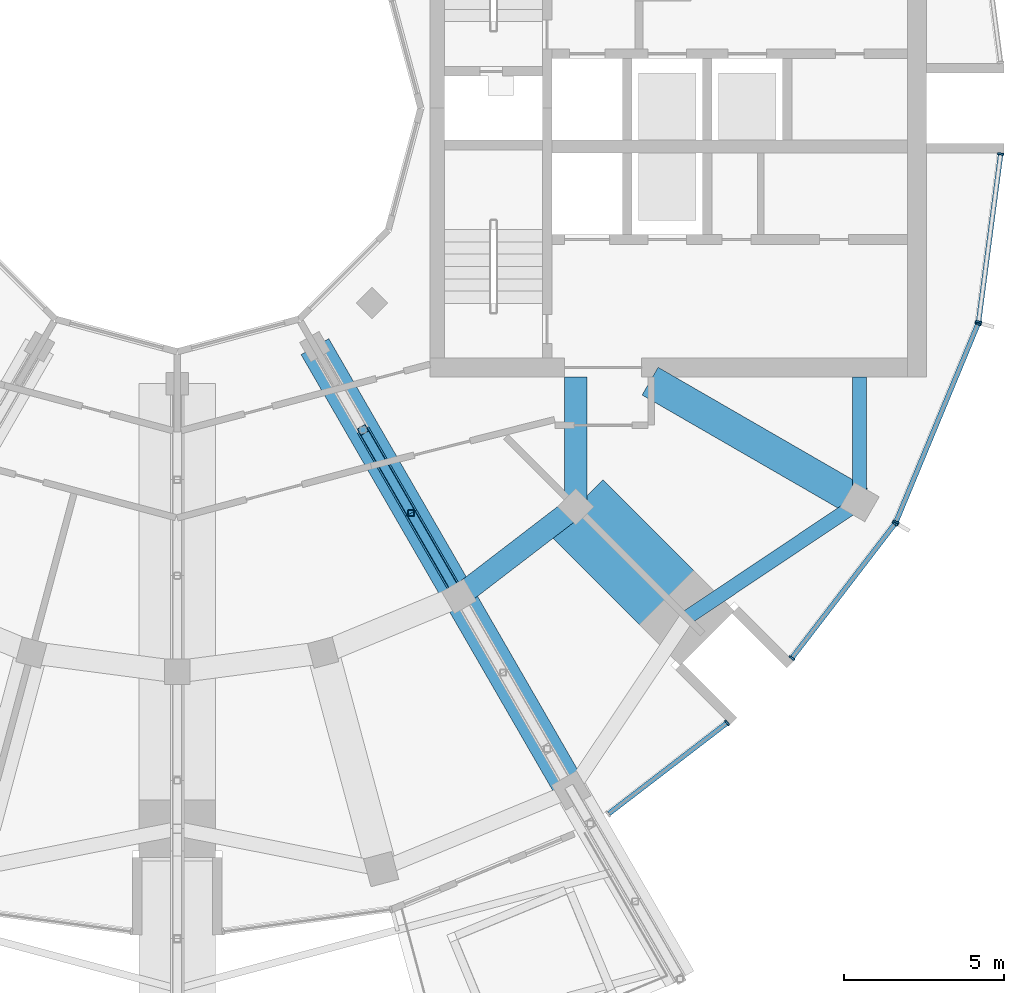
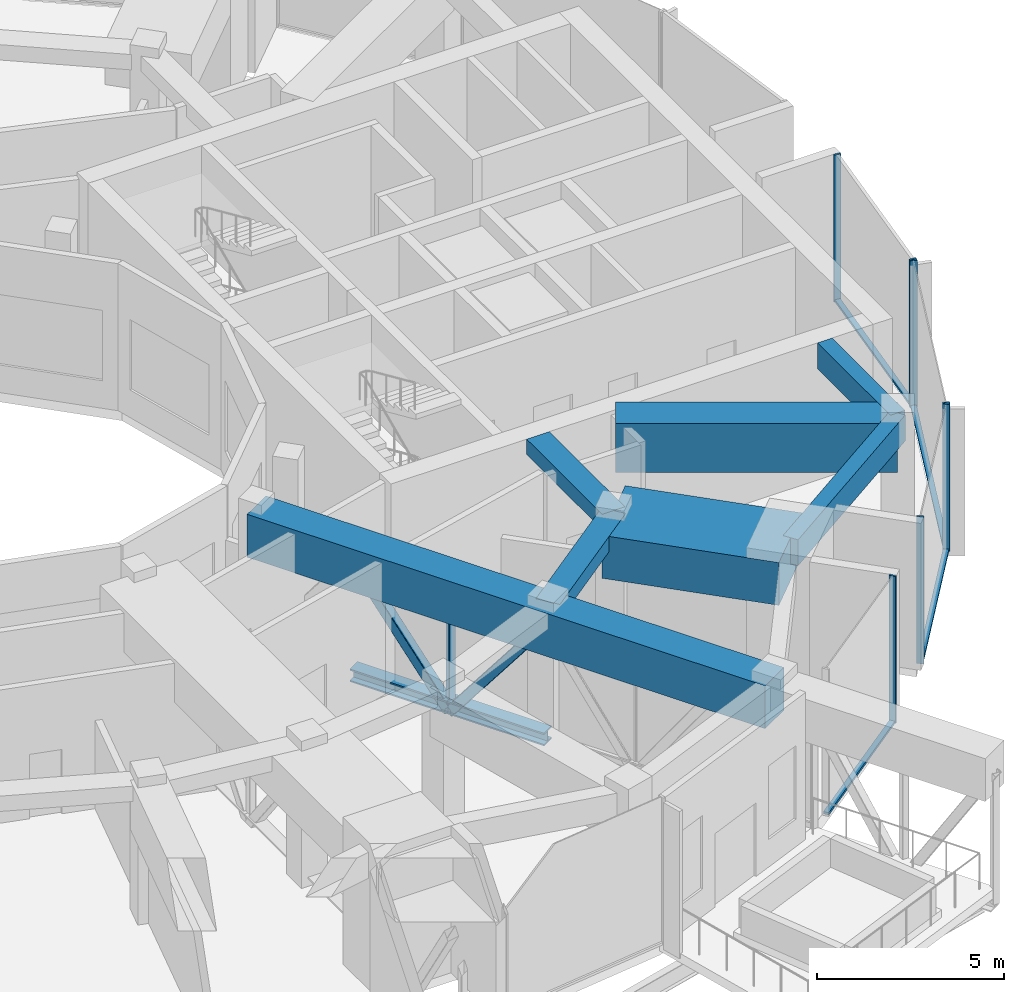
# One storey, part 5 of 17: 16 members, 7 beams, 4 elements without a shape of their own.
"""IFC4 building model written with IfcOpenShell, lengths in metres."""

from ifc_helpers import new_model, si_unit, direction, frame, origin, origin_2d, place, context, subcontext, project, spatial, rectangle, hollow_rectangle, i_section, extrude, material, layer, layer_set, material_profile, profile_set, type_object, element, aggregate, save


model = new_model("IFC4")

# Units and contexts
model_context = context("Model", 3, precision=1e-05, world=origin(), true_north=direction((0.0, 1.0)))
body_context = subcontext(model_context, "Body", "Model", "MODEL_VIEW")
ifc_project = project(units=[si_unit("LENGTHUNIT", "METRE"), si_unit("AREAUNIT", "SQUARE_METRE"), si_unit("VOLUMEUNIT", "CUBIC_METRE"), si_unit("PLANEANGLEUNIT", "RADIAN"), si_unit("MASSUNIT", "GRAM", prefix="KILO")], contexts=[model_context])

# Site, building, storey
site_placement = place(None, origin())
site = spatial("IfcSite", under=ifc_project, at=site_placement, CompositionType="ELEMENT")
building_placement = place(site_placement, origin())
building = spatial("IfcBuilding", under=site, at=building_placement, Name="Torre Brocal", CompositionType="ELEMENT")
storey_placement = place(building_placement, frame((0.0, 0.0, 270.89990234375)))
storey = spatial("IfcBuildingStorey", under=building, at=storey_placement, Name="L62", CompositionType="ELEMENT", Elevation=270.89990234375)

# Curtain wall, member
ifc_material_1 = material(Name="Aluminium and glass", Category="aluminium")
ifc_layer_1 = layer(ifc_material_1, 0.199951171875)
ifc_layer_set_1 = layer_set([ifc_layer_1], Name="Aluminium and glass")
curtain_wall_type_1 = type_object("IfcCurtainWallType", Name="CW-1 CURTAIN WALL 4800 HIGH", PredefinedType="NOTDEFINED", material=ifc_layer_set_1)
curtain_wall_1_placement = place(storey_placement, origin())
curtain_wall_1 = element("IfcCurtainWall", 1, at=curtain_wall_1_placement, inside=storey, type_object=curtain_wall_type_1, Name="CW-1 RUN 21", PredefinedType="NOTDEFINED")
ifc_material_2 = material(Name="Aluminium, dark anodised", Category="aluminium")
ifc_material_profile_1 = material_profile(ifc_material_2, rectangle(XDim=0.199951171875, YDim=0.06005859375, at=origin_2d()), Name="CW-1 MULLION 60X200")
ifc_profile_set_1 = profile_set([ifc_material_profile_1], Name="Aluminium, dark anodised")
member_type_1 = type_object("IfcMemberType", Name="CW-1 MULLION 60X200", PredefinedType="MULLION", material=ifc_profile_set_1)
member_1_placement = place(storey_placement, frame((97.16943359375, 55.80859375, 0.0), z_axis=(0.0, 0.0, 1.0), x_axis=(-0.608761429119, 0.793353340206, 0.0)))
member_1 = element("IfcMember", 2, at=member_1_placement, type_object=member_type_1, Name="CW1-7 mullion 2", PredefinedType="MULLION", context=body_context, shape_type="SweptSolid", body=[
    extrude(rectangle(XDim=0.199951171875, YDim=0.06005859375, at=origin_2d()), origin(), (0.0, 0.0, 1.0), 4.800048828125),
])

# Curtain wall, members
curtain_wall_2_placement = place(storey_placement, origin())
curtain_wall_2 = element("IfcCurtainWall", 3, at=curtain_wall_2_placement, inside=storey, type_object=curtain_wall_type_1, Name="CW-1 RUN 22", PredefinedType="NOTDEFINED")
member_2_placement = place(storey_placement, frame((99.19140625, 57.83056640625, 0.0), z_axis=(0.0, 0.0, 1.0), x_axis=(-0.793353340259, 0.60876142905, 0.0)))
member_2 = element("IfcMember", 4, at=member_2_placement, type_object=member_type_1, Name="CW1-7 mullion 1", PredefinedType="MULLION", context=body_context, shape_type="SweptSolid", body=[
    extrude(rectangle(XDim=0.199951171875, YDim=0.06005859375, at=origin_2d()), origin(), (0.0, 0.0, 1.0), 4.800048828125),
])
member_3_placement = place(storey_placement, frame((102.4111328125, 62.026611328125, 0.0), z_axis=(0.0, 0.0, 1.0), x_axis=(-0.793353340259, 0.60876142905, 0.0)))
member_3 = element("IfcMember", 5, at=member_3_placement, type_object=member_type_1, Name="CW1-7 mullion 2", PredefinedType="MULLION", context=body_context, shape_type="SweptSolid", body=[
    extrude(rectangle(XDim=0.199951171875, YDim=0.06005859375, at=origin_2d()), origin(), (0.0, 0.0, 1.0), 4.800048828125),
])

curtain_wall_3_placement = place(storey_placement, origin())
curtain_wall_3 = element("IfcCurtainWall", 6, at=curtain_wall_3_placement, inside=storey, type_object=curtain_wall_type_1, Name="CW-1 RUN 23", PredefinedType="NOTDEFINED")
member_4_placement = place(storey_placement, frame((102.440673828125, 62.078125, 0.0), z_axis=(0.0, 0.0, 1.0), x_axis=(-0.923879532525, 0.382683432333, 0.0)))
member_4 = element("IfcMember", 7, at=member_4_placement, type_object=member_type_1, Name="CW1-7 mullion 1", PredefinedType="MULLION", context=body_context, shape_type="SweptSolid", body=[
    extrude(rectangle(XDim=0.199951171875, YDim=0.06005859375, at=origin_2d()), origin(), (0.0, 0.0, 1.0), 4.800048828125),
])
member_5_placement = place(storey_placement, frame((105.005126953125, 68.26904296875, 0.0), z_axis=(0.0, 0.0, 1.0), x_axis=(-0.923879532525, 0.382683432333, 0.0)))
member_5 = element("IfcMember", 8, at=member_5_placement, type_object=member_type_1, Name="CW1-7 mullion 2", PredefinedType="MULLION", context=body_context, shape_type="SweptSolid", body=[
    extrude(rectangle(XDim=0.199951171875, YDim=0.06005859375, at=origin_2d()), origin(), (0.0, 0.0, 1.0), 4.800048828125),
])

# Member
ifc_material_3 = material(Name="Aluminium, dark anodised", Category="aluminium")
ifc_material_profile_2 = material_profile(ifc_material_3, rectangle(XDim=0.159912109375, YDim=0.080078125, at=origin_2d()), Name="CW-1 TRANSOM 160X80")
ifc_profile_set_2 = profile_set([ifc_material_profile_2], Name="Aluminium, dark anodised")
member_type_2 = type_object("IfcMemberType", Name="CW-1 TRANSOM 160X80", PredefinedType="USERDEFINED", material=ifc_profile_set_2)
member_6_placement = place(storey_placement, frame((93.477294921875, 52.9755859375, 0.0400390625), z_axis=(0.793355584282, 0.608758504572, 0.0), x_axis=(-0.608758504572, 0.793355584282, 0.0)))
member_6 = element("IfcMember", 9, at=member_6_placement, type_object=member_type_2, Name="CW1-7 transom 1.1", ObjectType="TRANSOM", PredefinedType="USERDEFINED", context=body_context, shape_type="SweptSolid", body=[
    extrude(rectangle(XDim=0.159912109375, YDim=0.080078125, at=origin_2d()), origin(), (0.0, 0.0, 1.0), 4.623779296875),
])

aggregate(curtain_wall_1, [member_1, member_6])

member_7_placement = place(storey_placement, frame((99.209716796875, 57.8544921875, 0.0400390625), z_axis=(0.60874908096, 0.79336281513, 0.0), x_axis=(-0.79336281513, 0.60874908096, 0.0)))
member_7 = element("IfcMember", 10, at=member_7_placement, type_object=member_type_2, Name="CW1-7 transom 1.1", ObjectType="TRANSOM", PredefinedType="USERDEFINED", context=body_context, shape_type="SweptSolid", body=[
    extrude(rectangle(XDim=0.159912109375, YDim=0.080078125, at=origin_2d()), origin(), (0.0, 0.0, 1.0), 5.22900390625),
])

aggregate(curtain_wall_2, [member_2, member_3, member_7])

member_8_placement = place(storey_placement, frame((102.452392578125, 62.10595703125, 0.0400390625), z_axis=(0.38266457234, 0.923887344364, 0.0), x_axis=(-0.923887344364, 0.38266457234, 0.0)))
member_8 = element("IfcMember", 11, at=member_8_placement, type_object=member_type_2, Name="CW1-7 transom 1.1", ObjectType="TRANSOM", PredefinedType="USERDEFINED", context=body_context, shape_type="SweptSolid", body=[
    extrude(rectangle(XDim=0.159912109375, YDim=0.080078125, at=origin_2d()), origin(), (0.0, 0.0, 1.0), 6.640869140625),
])

aggregate(curtain_wall_3, [member_4, member_5, member_8])

# Curtain wall, members
ifc_material_4 = material(Name="Aluminium and glass", Category="aluminium")
ifc_layer_2 = layer(ifc_material_4, 0.199951171875)
ifc_layer_set_2 = layer_set([ifc_layer_2], Name="Aluminium and glass")
curtain_wall_type_2 = type_object("IfcCurtainWallType", Name="CW-1B CURTAIN WALL 4800 HIGH", PredefinedType="NOTDEFINED", material=ifc_layer_set_2)
curtain_wall_4_placement = place(storey_placement, origin())
curtain_wall_4 = element("IfcCurtainWall", 12, at=curtain_wall_4_placement, inside=storey, type_object=curtain_wall_type_2, Name="CW-1B RUN 24", PredefinedType="NOTDEFINED")
ifc_material_5 = material(Name="Aluminium, dark anodised", Category="aluminium")
ifc_material_profile_3 = material_profile(ifc_material_5, rectangle(XDim=0.199951171875, YDim=0.06005859375, at=origin_2d()), Name="CW-1B MULLION 60X200")
ifc_profile_set_3 = profile_set([ifc_material_profile_3], Name="Aluminium, dark anodised")
member_type_3 = type_object("IfcMemberType", Name="CW-1B MULLION 60X200", PredefinedType="MULLION", material=ifc_profile_set_3)
member_9_placement = place(storey_placement, frame((105.0205078125, 68.32666015625, 0.0), z_axis=(0.0, 0.0, 1.0), x_axis=(-0.991444861374, 0.13052619222, 0.0)))
member_9 = element("IfcMember", 13, at=member_9_placement, type_object=member_type_3, Name="CW1B-6 mullion 1", PredefinedType="MULLION", context=body_context, shape_type="SweptSolid", body=[
    extrude(rectangle(XDim=0.199951171875, YDim=0.06005859375, at=origin_2d()), origin(), (0.0, 0.0, 1.0), 4.800048828125),
])
member_10_placement = place(storey_placement, frame((105.7109375, 73.5703125, 0.0), z_axis=(0.0, 0.0, 1.0), x_axis=(-0.991444861374, 0.13052619222, 0.0)))
member_10 = element("IfcMember", 14, at=member_10_placement, type_object=member_type_3, Name="CW1B-6 mullion 2", PredefinedType="MULLION", context=body_context, shape_type="SweptSolid", body=[
    extrude(rectangle(XDim=0.199951171875, YDim=0.06005859375, at=origin_2d()), origin(), (0.0, 0.0, 1.0), 4.800048828125),
])
ifc_material_6 = material(Name="Aluminium, dark anodised", Category="aluminium")
ifc_material_profile_4 = material_profile(ifc_material_6, rectangle(XDim=0.159912109375, YDim=0.080078125, at=origin_2d()), Name="CW-1B TRANSOM 160X80")
ifc_profile_set_4 = profile_set([ifc_material_profile_4], Name="Aluminium, dark anodised")
member_type_4 = type_object("IfcMemberType", Name="CW-1B TRANSOM 160X80", PredefinedType="USERDEFINED", material=ifc_profile_set_4)
member_11_placement = place(storey_placement, frame((105.0244140625, 68.356201171875, 0.0400390625), z_axis=(0.130542677827, 0.991442690863, 0.0), x_axis=(-0.991442690863, 0.130542677827, 0.0)))
member_11 = element("IfcMember", 15, at=member_11_placement, type_object=member_type_4, Name="CW1B-6 transom 1.1", ObjectType="TRANSOM", PredefinedType="USERDEFINED", context=body_context, shape_type="SweptSolid", body=[
    extrude(rectangle(XDim=0.159912109375, YDim=0.080078125, at=origin_2d()), origin(), (0.0, 0.0, 1.0), 5.22900390625),
])
aggregate(curtain_wall_4, [member_9, member_10, member_11])

# Members
ifc_material_7 = material(Name="Steel A992", Category="steel")
ifc_material_profile_5 = material_profile(ifc_material_7, i_section(OverallWidth=0.406494140625, OverallDepth=0.41650390625, WebThickness=0.030029296875, FlangeThickness=0.048095703125, at=origin_2d()), Name="W14X257")
ifc_profile_set_5 = profile_set([ifc_material_profile_5], Name="Steel A992")
member_type_5 = type_object("IfcMemberType", Name="POOL TRUSS BOTTOM CHORD W14X257", PredefinedType="CHORD", material=ifc_profile_set_5)
member_12_placement = place(storey_placement, frame((85.800048828125, 64.9541015625, 0.091796875), z_axis=(0.499990139034, -0.866031096941, 0.0), x_axis=(0.866031096941, 0.499990139034, 0.0)))
element("IfcMember", 16, at=member_12_placement, inside=storey, type_object=member_type_5, Name="Member CT-C20", PredefinedType="CHORD", context=body_context, shape_type="SweptSolid", body=[
    extrude(i_section(OverallWidth=0.406494140625, OverallDepth=0.41650390625, WebThickness=0.030029296875, FlangeThickness=0.048095703125, at=origin_2d()), origin(), (0.0, 0.0, 1.0), 3.0),
])
member_13_placement = place(storey_placement, frame((87.300048828125, 62.35595703125, 0.091796875), z_axis=(0.50002537861, -0.866010750942, 0.0), x_axis=(0.866010750942, 0.50002537861, 0.0)))
element("IfcMember", 17, at=member_13_placement, inside=storey, type_object=member_type_5, Name="Member CT-C21", PredefinedType="CHORD", context=body_context, shape_type="SweptSolid", body=[
    extrude(i_section(OverallWidth=0.406494140625, OverallDepth=0.41650390625, WebThickness=0.030029296875, FlangeThickness=0.048095703125, at=origin_2d()), origin(), (0.0, 0.0, 1.0), 2.999755859375),
])
ifc_material_8 = material(Name="Steel A500 Grade C", Category="steel")
ifc_material_profile_6 = material_profile(ifc_material_8, hollow_rectangle(XDim=0.3046875, YDim=0.3046875, WallThickness=0.014892578125, InnerFilletRadius=0.014892578125, OuterFilletRadius=0.029541015625, at=origin_2d()), Name="HSS12X12X5/8")
ifc_profile_set_6 = profile_set([ifc_material_profile_6], Name="Steel A500 Grade C")
member_type_6 = type_object("IfcMemberType", Name="POOL TRUSS DIAGONAL HSS12X12X5/8", PredefinedType="BRACE", material=ifc_profile_set_6)
member_14_placement = place(storey_placement, frame((85.800048828125, 64.9541015625, 3.780029296875), z_axis=(0.305025860226, -0.528334180425, -0.792352332229), x_axis=(0.866031096941, 0.499990139034, 0.0)))
element("IfcMember", 18, at=member_14_placement, inside=storey, type_object=member_type_6, Name="Member CT-D20", PredefinedType="BRACE", context=body_context, shape_type="SweptSolid", body=[
    extrude(hollow_rectangle(XDim=0.3046875, YDim=0.3046875, WallThickness=0.014892578125, InnerFilletRadius=0.014892578125, OuterFilletRadius=0.029541015625, at=origin_2d()), origin(), (0.0, 0.0, 1.0), 4.917724609375),
])
member_15_placement = place(storey_placement, frame((87.300048828125, 62.35595703125, -0.116455078125), z_axis=(0.305033860917, -0.528298390954, 0.792373115274), x_axis=(0.866010750942, 0.50002537861, 0.0)))
element("IfcMember", 19, at=member_15_placement, inside=storey, type_object=member_type_6, Name="Member CT-D21", PredefinedType="BRACE", context=body_context, shape_type="SweptSolid", body=[
    extrude(hollow_rectangle(XDim=0.3046875, YDim=0.3046875, WallThickness=0.014892578125, InnerFilletRadius=0.014892578125, OuterFilletRadius=0.029541015625, at=origin_2d()), origin(), (0.0, 0.0, 1.0), 4.91748046875),
])
ifc_material_9 = material(Name="Steel A500 Grade C", Category="steel")
ifc_material_profile_7 = material_profile(ifc_material_9, hollow_rectangle(XDim=0.203125, YDim=0.203125, WallThickness=0.01171875, InnerFilletRadius=0.01171875, OuterFilletRadius=0.023681640625, at=origin_2d()), Name="HSS8X8X1/2")
ifc_profile_set_7 = profile_set([ifc_material_profile_7], Name="Steel A500 Grade C")
member_type_7 = type_object("IfcMemberType", Name="POOL TRUSS POST INSIDE HSS8X8X1/2", PredefinedType="POST", material=ifc_profile_set_7)
member_16_placement = place(storey_placement, frame((87.300048828125, 62.35595703125, 0.091796875), z_axis=(0.0, 0.0, 1.0), x_axis=(1.0, 0.0, 0.0)))
element("IfcMember", 20, at=member_16_placement, inside=storey, type_object=member_type_7, Name="Member CT-P15", PredefinedType="POST", context=body_context, shape_type="SweptSolid", body=[
    extrude(hollow_rectangle(XDim=0.203125, YDim=0.203125, WallThickness=0.01171875, InnerFilletRadius=0.01171875, OuterFilletRadius=0.023681640625, at=origin_2d()), origin(), (0.0, 0.0, 1.0), 3.688232421875),
])

# Beams
ifc_material_10 = material(Name="Concrete C50", Category="concrete")
ifc_material_profile_8 = material_profile(ifc_material_10, rectangle(XDim=0.699951171875, YDim=0.5, at=origin_2d()), Name="RC 700X500")
ifc_profile_set_8 = profile_set([ifc_material_profile_8], Name="Concrete C50")
beam_type_1 = type_object("IfcBeamType", Name="RC BEAM 700X500 C50 TOP 4480", PredefinedType="BEAM", material=ifc_profile_set_8)
beam_1_placement = place(storey_placement, frame((88.800048828125, 59.758056640625, 4.22998046875), z_axis=(0.793358265959, 0.6087550097, 0.0), x_axis=(-0.6087550097, 0.793358265959, 0.0)))
element("IfcBeam", 21, at=beam_1_placement, inside=storey, type_object=beam_type_1, Name="Beam BT-45", PredefinedType="BEAM", context=body_context, shape_type="SweptSolid", body=[
    extrude(rectangle(XDim=0.699951171875, YDim=0.5, at=origin_2d()), origin(), (0.0, 0.0, 1.0), 4.594482421875),
])
beam_2_placement = place(storey_placement, frame((92.445068359375, 62.554931640625, 4.22998046875), z_axis=(0.0, 1.0, 0.0), x_axis=(-1.0, 0.0, 0.0)))
element("IfcBeam", 22, at=beam_2_placement, inside=storey, type_object=beam_type_1, Name="Beam BT-45", PredefinedType="BEAM", context=body_context, shape_type="SweptSolid", body=[
    extrude(rectangle(XDim=0.699951171875, YDim=0.5, at=origin_2d()), origin(), (0.0, 0.0, 1.0), 4.045166015625),
])
ifc_material_11 = material(Name="Concrete C50", Category="concrete")
ifc_material_profile_9 = material_profile(ifc_material_11, rectangle(XDim=0.449951171875, YDim=0.85009765625, at=origin_2d()), Name="RC 450X850")
ifc_profile_set_9 = profile_set([ifc_material_profile_9], Name="Concrete C50")
beam_type_2 = type_object("IfcBeamType", Name="RC SPANDREL BEAM 450X850 C50 TOP 4480", PredefinedType="SPANDREL", material=ifc_profile_set_9)
beam_3_placement = place(storey_placement, frame((95.909912109375, 59.090087890625, 4.05517578125), z_axis=(0.831076844476, 0.556157602282, 0.0), x_axis=(-0.556157602282, 0.831076844476, 0.0)))
element("IfcBeam", 23, at=beam_3_placement, inside=storey, type_object=beam_type_2, Name="Beam BT-46", PredefinedType="SPANDREL", context=body_context, shape_type="SweptSolid", body=[
    extrude(rectangle(XDim=0.449951171875, YDim=0.85009765625, at=origin_2d()), origin(), (0.0, 0.0, 1.0), 6.49072265625),
])
beam_4_placement = place(storey_placement, frame((101.30419921875, 62.699951171875, 4.05517578125), z_axis=(0.0, 1.0, 0.0), x_axis=(-1.0, 0.0, 0.0)))
element("IfcBeam", 24, at=beam_4_placement, inside=storey, type_object=beam_type_2, Name="Beam BT-46", PredefinedType="SPANDREL", context=body_context, shape_type="SweptSolid", body=[
    extrude(rectangle(XDim=0.449951171875, YDim=0.85009765625, at=origin_2d()), origin(), (0.0, 0.0, 1.0), 3.900146484375),
])
ifc_material_12 = material(Name="Concrete C60", Category="concrete")
ifc_material_profile_10 = material_profile(ifc_material_12, rectangle(XDim=1.0, YDim=1.39990234375, at=origin_2d()), Name="RC 1000X1400")
ifc_profile_set_10 = profile_set([ifc_material_profile_10], Name="Concrete C60")
beam_type_3 = type_object("IfcBeamType", Name="RC TRANSFER GIRDER 1000X1400 C60 TOP 4480", PredefinedType="BEAM", material=ifc_profile_set_10)
beam_5_placement = place(storey_placement, frame((84.300048828125, 67.55224609375, 3.780029296875), z_axis=(0.49999894854, -0.866026010844, 0.0), x_axis=(0.866026010844, 0.49999894854, 0.0)))
element("IfcBeam", 25, at=beam_5_placement, inside=storey, type_object=beam_type_3, Name="Beam TG-16", PredefinedType="BEAM", context=body_context, shape_type="SweptSolid", body=[
    extrude(rectangle(XDim=1.0, YDim=1.39990234375, at=origin_2d()), origin(), (0.0, 0.0, 1.0), 16.0),
])
ifc_material_13 = material(Name="Concrete C60", Category="concrete")
ifc_material_profile_11 = material_profile(ifc_material_13, rectangle(XDim=1.0, YDim=1.60009765625, at=origin_2d()), Name="RC 1000X1600")
ifc_profile_set_11 = profile_set([ifc_material_profile_11], Name="Concrete C60")
beam_type_4 = type_object("IfcBeamType", Name="RC TRANSFER GIRDER 1000X1600 C60 TOP 4480", PredefinedType="BEAM", material=ifc_profile_set_11)
beam_6_placement = place(storey_placement, frame((94.765625, 66.47509765625, 3.68017578125), z_axis=(0.866019731711, -0.50000982419, 0.0), x_axis=(0.50000982419, 0.866019731711, 0.0)))
element("IfcBeam", 26, at=beam_6_placement, inside=storey, type_object=beam_type_4, Name="Beam TG-05", PredefinedType="BEAM", context=body_context, shape_type="SweptSolid", body=[
    extrude(rectangle(XDim=1.0, YDim=1.60009765625, at=origin_2d()), origin(), (0.0, 0.0, 1.0), 7.550048828125),
])
ifc_material_14 = material(Name="Concrete C60", Category="concrete")
ifc_material_profile_12 = material_profile(ifc_material_14, rectangle(XDim=2.39990234375, YDim=1.39990234375, at=origin_2d()), Name="RC 2400X1400")
ifc_profile_set_12 = profile_set([ifc_material_profile_12], Name="Concrete C60")
beam_type_5 = type_object("IfcBeamType", Name="RC TRANSFER GIRDER 2400X1400 C60 TOP 4480", PredefinedType="BEAM", material=ifc_profile_set_12)
beam_7_placement = place(storey_placement, frame((92.445068359375, 62.554931640625, 3.780029296875), z_axis=(0.707106781187, -0.707106781187, 0.0), x_axis=(0.707106781187, 0.707106781187, 0.0)))
element("IfcBeam", 27, at=beam_7_placement, inside=storey, type_object=beam_type_5, Name="Beam TG-06", PredefinedType="BEAM", context=body_context, shape_type="SweptSolid", body=[
    extrude(rectangle(XDim=2.39990234375, YDim=1.39990234375, at=origin_2d()), origin(), (0.0, 0.0, 1.0), 4.900146484375),
])

save(model, "model.ifc")
